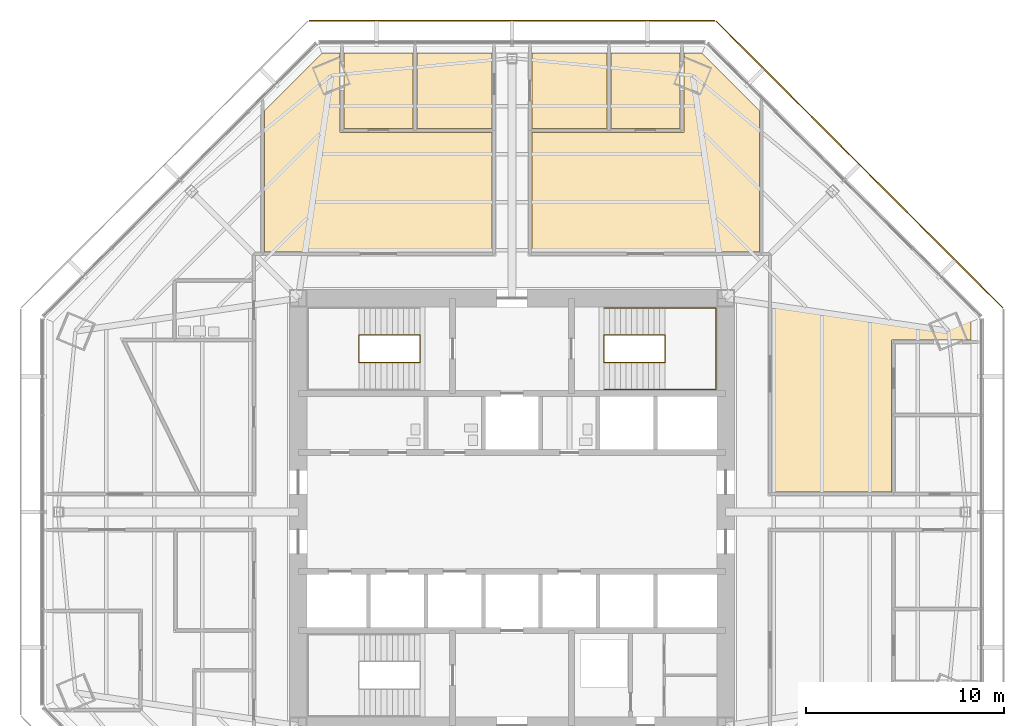
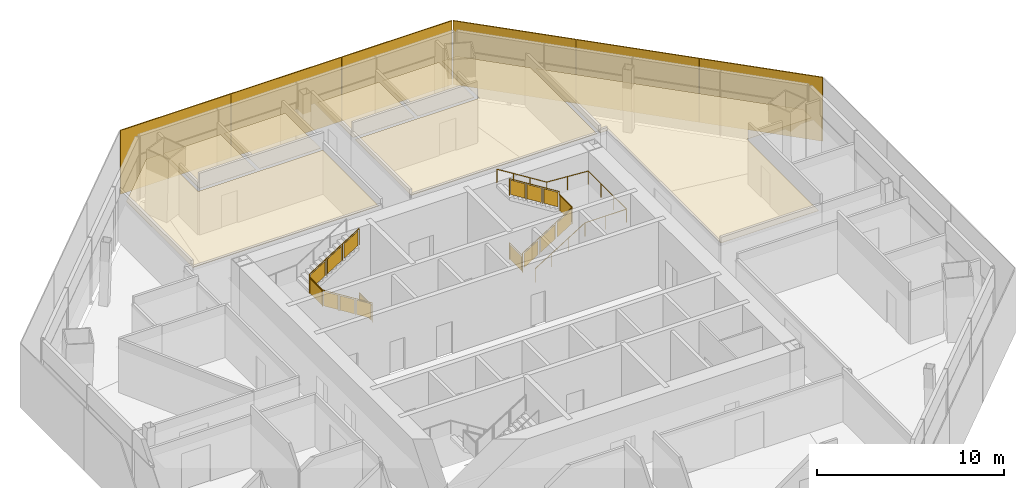
# One storey, part 14 of 15: 7 coverings, 6 shading devices, 3 railings.
"""IFC4 building model written with IfcOpenShell, lengths in metres."""

from ifc_helpers import new_model, si_unit, direction, frame, origin, origin_2d, place, context, subcontext, project, spatial, polyline, rectangle, circle, outline, extrude, source, transform, mapped, material, layer, layer_set, type_object, type_shapes, element, save


model = new_model("IFC4")

# Units and contexts
model_context = context("Model", 3, precision=1e-05, world=origin(), true_north=direction((0.0, 1.0)))
body_context = subcontext(model_context, "Body", "Model", "MODEL_VIEW")
ifc_project = project(units=[si_unit("LENGTHUNIT", "METRE"), si_unit("AREAUNIT", "SQUARE_METRE"), si_unit("VOLUMEUNIT", "CUBIC_METRE"), si_unit("PLANEANGLEUNIT", "RADIAN"), si_unit("MASSUNIT", "GRAM", prefix="KILO")], contexts=[model_context])

# Site, building, storey
site_placement = place(None, origin())
site = spatial("IfcSite", under=ifc_project, at=site_placement, CompositionType="ELEMENT")
building_placement = place(site_placement, origin())
building = spatial("IfcBuilding", under=site, at=building_placement, Name="Mashrafa Tower", CompositionType="ELEMENT")
storey_placement = place(building_placement, frame((0.0, 0.0, 151.199951171875)))
storey = spatial("IfcBuildingStorey", under=building, at=storey_placement, Name="L34", CompositionType="ELEMENT", Elevation=151.199951171875)

# Railings
ifc_material_1 = material(Name="Steel guard with glass infill", Category="steel")
railing_type_1 = type_object("IfcRailingType", Name="Stair guard 1100", PredefinedType="GUARDRAIL", material=ifc_material_1)
railing_1_placement = place(storey_placement, frame((-4.64990234375, 8.949951171875, 0.0)))
element("IfcRailing", 1, at=railing_1_placement, inside=storey, type_object=railing_type_1, Name="Stair S1 guard L34", PredefinedType="GUARDRAIL", context=body_context, shape_type="SweptSolid", body=[
    extrude(circle(Radius=0.02392578125, at=origin_2d()), frame((0.0, 0.0, 1.076171875), z_axis=(0.0, -1.0, 0.0), x_axis=(1.0, 0.0, 0.0)), (0.0, 0.0, 1.0), 1.39990234375),
    extrude(circle(Radius=0.02392578125, at=origin_2d()), frame((0.0, -1.39990234375, 1.076171875), z_axis=(0.0, 0.0, 1.0), x_axis=(1.0, 0.0, 0.0)), (0.0, 0.0, 1.0), 0.175048828125),
    extrude(circle(Radius=0.02392578125, at=origin_2d()), frame((0.0, -1.39990234375, 1.2509765625), z_axis=(-0.847998304005, 0.0, 0.529998940003), x_axis=(0.0, -1.0, 0.0)), (0.0, 0.0, 1.0), 3.632080078125),
    extrude(circle(Radius=0.02392578125, at=origin_2d()), frame((-3.080078125, -1.39990234375, 3.17626953125), z_axis=(0.0, 1.0, 0.0), x_axis=(-1.0, 0.0, 0.0)), (0.0, 0.0, 1.0), 1.39990234375),
    extrude(circle(Radius=0.02392578125, at=origin_2d()), frame((-3.080078125, 0.0, 3.17626953125), z_axis=(0.0, 0.0, 1.0), x_axis=(1.0, 0.0, 0.0)), (0.0, 0.0, 1.0), 0.175048828125),
    extrude(circle(Radius=0.02392578125, at=origin_2d()), frame((-3.080078125, 0.0, 3.35107421875), z_axis=(0.848028513186, 0.0, 0.529950602248), x_axis=(0.0, 1.0, 0.0)), (0.0, 0.0, 1.0), 3.632080078125),
    extrude(circle(Radius=0.02099609375, at=origin_2d()), origin(), (0.0, 0.0, 1.0), 1.052001953125),
    extrude(circle(Radius=0.02099609375, at=origin_2d()), frame((0.0, -1.39990234375, 0.0)), (0.0, 0.0, 1.0), 1.052001953125),
    extrude(circle(Radius=0.02099609375, at=origin_2d()), frame((0.0, -1.39990234375, 0.175048828125)), (0.0, 0.0, 1.0), 1.052001953125),
    extrude(circle(Radius=0.02099609375, at=origin_2d()), frame((-1.026611328125, -1.39990234375, 0.816650390625)), (0.0, 0.0, 1.0), 1.052001953125),
    extrude(circle(Radius=0.02099609375, at=origin_2d()), frame((-2.053466796875, -1.39990234375, 1.45849609375)), (0.0, 0.0, 1.0), 1.052001953125),
    extrude(circle(Radius=0.02099609375, at=origin_2d()), frame((-3.080078125, -1.39990234375, 2.10009765625)), (0.0, 0.0, 1.0), 1.052001953125),
    extrude(circle(Radius=0.02099609375, at=origin_2d()), frame((-3.080078125, 0.0, 2.10009765625)), (0.0, 0.0, 1.0), 1.052001953125),
    extrude(circle(Radius=0.02099609375, at=origin_2d()), frame((-3.080078125, 0.0, 2.275146484375)), (0.0, 0.0, 1.0), 1.052001953125),
    extrude(circle(Radius=0.02099609375, at=origin_2d()), frame((-2.053466796875, 0.0, 2.916748046875)), (0.0, 0.0, 1.0), 1.052001953125),
    extrude(circle(Radius=0.02099609375, at=origin_2d()), frame((-1.026611328125, 0.0, 3.558349609375)), (0.0, 0.0, 1.0), 1.052001953125),
    extrude(circle(Radius=0.02099609375, at=origin_2d()), frame((0.0, 0.0, 4.199951171875)), (0.0, 0.0, 1.0), 1.052001953125),
    extrude(outline(polyline([(0.071044921875, 0.050048828125), (1.328857421875, 0.050048828125), (1.328857421875, 1.001953125), (0.071044921875, 1.001953125), (0.071044921875, 0.050048828125)])), frame((-0.006103515625, 0.0, 0.0), z_axis=(-1.0, 0.0, 0.0), x_axis=(0.0, -1.0, 0.0)), (0.0, 0.0, 1.0), 0.011962890625),
    extrude(outline(polyline([(0.071044921875, 0.094482421875), (0.955810546875, 0.647216796875), (0.955810546875, 1.599365234375), (0.071044921875, 1.04638671875), (0.071044921875, 0.094482421875)])), frame((0.0, -1.393798828125, 0.175048828125), z_axis=(0.0, 1.0, 0.0), x_axis=(-1.0, 0.0, 0.0)), (0.0, 0.0, 1.0), 0.011962890625),
    extrude(outline(polyline([(1.09765625, 0.736083984375), (1.982421875, 1.2890625), (1.982421875, 2.240966796875), (1.09765625, 1.68798828125), (1.09765625, 0.736083984375)])), frame((0.0, -1.393798828125, 0.175048828125), z_axis=(0.0, 1.0, 0.0), x_axis=(-1.0, 0.0, 0.0)), (0.0, 0.0, 1.0), 0.011962890625),
    extrude(outline(polyline([(2.124267578125, 1.377685546875), (3.009033203125, 1.9306640625), (3.009033203125, 2.882568359375), (2.124267578125, 2.329833984375), (2.124267578125, 1.377685546875)])), frame((0.0, -1.393798828125, 0.175048828125), z_axis=(0.0, 1.0, 0.0), x_axis=(-1.0, 0.0, 0.0)), (0.0, 0.0, 1.0), 0.011962890625),
    extrude(outline(polyline([(0.071044921875, 0.050048828125), (1.328857421875, 0.050048828125), (1.328857421875, 1.001953125), (0.071044921875, 1.001953125), (0.071044921875, 0.050048828125)])), frame((-3.073974609375, -1.39990234375, 2.10009765625), z_axis=(1.0, 0.0, 0.0), x_axis=(0.0, 1.0, 0.0)), (0.0, 0.0, 1.0), 0.011962890625),
    extrude(outline(polyline([(0.071044921875, 0.094482421875), (0.955810546875, 0.647216796875), (0.955810546875, 1.59912109375), (0.071044921875, 1.04638671875), (0.071044921875, 0.094482421875)])), frame((-3.080078125, -0.006103515625, 2.275146484375), z_axis=(0.0, -1.0, 0.0), x_axis=(1.0, 0.0, 0.0)), (0.0, 0.0, 1.0), 0.011962890625),
    extrude(outline(polyline([(1.09765625, 0.736083984375), (1.982421875, 1.288818359375), (1.982421875, 2.24072265625), (1.09765625, 1.68798828125), (1.09765625, 0.736083984375)])), frame((-3.080078125, -0.006103515625, 2.275146484375), z_axis=(0.0, -1.0, 0.0), x_axis=(1.0, 0.0, 0.0)), (0.0, 0.0, 1.0), 0.011962890625),
    extrude(outline(polyline([(2.124267578125, 1.377685546875), (3.009033203125, 1.930419921875), (3.009033203125, 2.88232421875), (2.124267578125, 2.32958984375), (2.124267578125, 1.377685546875)])), frame((-3.080078125, -0.006103515625, 2.275146484375), z_axis=(0.0, -1.0, 0.0), x_axis=(1.0, 0.0, 0.0)), (0.0, 0.0, 1.0), 0.011962890625),
])
railing_2_placement = place(storey_placement, frame((4.64990234375, 8.949951171875, 0.0)))
element("IfcRailing", 2, at=railing_2_placement, inside=storey, type_object=railing_type_1, Name="Stair S2 guard L34", PredefinedType="GUARDRAIL", context=body_context, shape_type="SweptSolid", body=[
    extrude(circle(Radius=0.02392578125, at=origin_2d()), frame((0.0, 0.0, 1.076171875), z_axis=(0.0, -1.0, 0.0), x_axis=(1.0, 0.0, 0.0)), (0.0, 0.0, 1.0), 1.39990234375),
    extrude(circle(Radius=0.02392578125, at=origin_2d()), frame((0.0, -1.39990234375, 1.076171875), z_axis=(0.0, 0.0, 1.0), x_axis=(1.0, 0.0, 0.0)), (0.0, 0.0, 1.0), 0.175048828125),
    extrude(circle(Radius=0.02392578125, at=origin_2d()), frame((0.0, -1.39990234375, 1.2509765625), z_axis=(0.847998304005, 0.0, 0.529998940003), x_axis=(0.0, 1.0, 0.0)), (0.0, 0.0, 1.0), 3.632080078125),
    extrude(circle(Radius=0.02392578125, at=origin_2d()), frame((3.080078125, -1.39990234375, 3.17626953125), z_axis=(0.0, 1.0, 0.0), x_axis=(-1.0, 0.0, 0.0)), (0.0, 0.0, 1.0), 1.39990234375),
    extrude(circle(Radius=0.02392578125, at=origin_2d()), frame((3.080078125, 0.0, 3.17626953125), z_axis=(0.0, 0.0, 1.0), x_axis=(1.0, 0.0, 0.0)), (0.0, 0.0, 1.0), 0.175048828125),
    extrude(circle(Radius=0.02392578125, at=origin_2d()), frame((3.080078125, 0.0, 3.35107421875), z_axis=(-0.848028513186, 0.0, 0.529950602248), x_axis=(0.0, -1.0, 0.0)), (0.0, 0.0, 1.0), 3.632080078125),
    extrude(circle(Radius=0.02099609375, at=origin_2d()), origin(), (0.0, 0.0, 1.0), 1.052001953125),
    extrude(circle(Radius=0.02099609375, at=origin_2d()), frame((0.0, -1.39990234375, 0.0)), (0.0, 0.0, 1.0), 1.052001953125),
    extrude(circle(Radius=0.02099609375, at=origin_2d()), frame((0.0, -1.39990234375, 0.175048828125)), (0.0, 0.0, 1.0), 1.052001953125),
    extrude(circle(Radius=0.02099609375, at=origin_2d()), frame((1.026611328125, -1.39990234375, 0.816650390625)), (0.0, 0.0, 1.0), 1.052001953125),
    extrude(circle(Radius=0.02099609375, at=origin_2d()), frame((2.053466796875, -1.39990234375, 1.45849609375)), (0.0, 0.0, 1.0), 1.052001953125),
    extrude(circle(Radius=0.02099609375, at=origin_2d()), frame((3.080078125, -1.39990234375, 2.10009765625)), (0.0, 0.0, 1.0), 1.052001953125),
    extrude(circle(Radius=0.02099609375, at=origin_2d()), frame((3.080078125, 0.0, 2.10009765625)), (0.0, 0.0, 1.0), 1.052001953125),
    extrude(circle(Radius=0.02099609375, at=origin_2d()), frame((3.080078125, 0.0, 2.275146484375)), (0.0, 0.0, 1.0), 1.052001953125),
    extrude(circle(Radius=0.02099609375, at=origin_2d()), frame((2.053466796875, 0.0, 2.916748046875)), (0.0, 0.0, 1.0), 1.052001953125),
    extrude(circle(Radius=0.02099609375, at=origin_2d()), frame((1.026611328125, 0.0, 3.558349609375)), (0.0, 0.0, 1.0), 1.052001953125),
    extrude(circle(Radius=0.02099609375, at=origin_2d()), frame((0.0, 0.0, 4.199951171875)), (0.0, 0.0, 1.0), 1.052001953125),
    extrude(outline(polyline([(0.071044921875, 0.050048828125), (1.328857421875, 0.050048828125), (1.328857421875, 1.001953125), (0.071044921875, 1.001953125), (0.071044921875, 0.050048828125)])), frame((-0.006103515625, 0.0, 0.0), z_axis=(-1.0, 0.0, 0.0), x_axis=(0.0, -1.0, 0.0)), (0.0, 0.0, 1.0), 0.011962890625),
    extrude(outline(polyline([(0.071044921875, 0.094482421875), (0.955810546875, 0.647216796875), (0.955810546875, 1.599365234375), (0.071044921875, 1.04638671875), (0.071044921875, 0.094482421875)])), frame((0.0, -1.406005859375, 0.175048828125), z_axis=(0.0, -1.0, 0.0), x_axis=(1.0, 0.0, 0.0)), (0.0, 0.0, 1.0), 0.011962890625),
    extrude(outline(polyline([(1.09765625, 0.736083984375), (1.982421875, 1.2890625), (1.982421875, 2.240966796875), (1.09765625, 1.68798828125), (1.09765625, 0.736083984375)])), frame((0.0, -1.406005859375, 0.175048828125), z_axis=(0.0, -1.0, 0.0), x_axis=(1.0, 0.0, 0.0)), (0.0, 0.0, 1.0), 0.011962890625),
    extrude(outline(polyline([(2.124267578125, 1.377685546875), (3.009033203125, 1.9306640625), (3.009033203125, 2.882568359375), (2.124267578125, 2.329833984375), (2.124267578125, 1.377685546875)])), frame((0.0, -1.406005859375, 0.175048828125), z_axis=(0.0, -1.0, 0.0), x_axis=(1.0, 0.0, 0.0)), (0.0, 0.0, 1.0), 0.011962890625),
    extrude(outline(polyline([(0.071044921875, 0.050048828125), (1.328857421875, 0.050048828125), (1.328857421875, 1.001953125), (0.071044921875, 1.001953125), (0.071044921875, 0.050048828125)])), frame((3.086181640625, -1.39990234375, 2.10009765625), z_axis=(1.0, 0.0, 0.0), x_axis=(0.0, 1.0, 0.0)), (0.0, 0.0, 1.0), 0.011962890625),
    extrude(outline(polyline([(0.071044921875, 0.094482421875), (0.955810546875, 0.647216796875), (0.955810546875, 1.59912109375), (0.071044921875, 1.04638671875), (0.071044921875, 0.094482421875)])), frame((3.080078125, 0.006103515625, 2.275146484375), z_axis=(0.0, 1.0, 0.0), x_axis=(-1.0, 0.0, 0.0)), (0.0, 0.0, 1.0), 0.011962890625),
    extrude(outline(polyline([(1.09765625, 0.736083984375), (1.982421875, 1.288818359375), (1.982421875, 2.24072265625), (1.09765625, 1.68798828125), (1.09765625, 0.736083984375)])), frame((3.080078125, 0.006103515625, 2.275146484375), z_axis=(0.0, 1.0, 0.0), x_axis=(-1.0, 0.0, 0.0)), (0.0, 0.0, 1.0), 0.011962890625),
    extrude(outline(polyline([(2.124267578125, 1.377685546875), (3.009033203125, 1.930419921875), (3.009033203125, 2.88232421875), (2.124267578125, 2.32958984375), (2.124267578125, 1.377685546875)])), frame((3.080078125, 0.006103515625, 2.275146484375), z_axis=(0.0, 1.0, 0.0), x_axis=(-1.0, 0.0, 0.0)), (0.0, 0.0, 1.0), 0.011962890625),
])
ifc_material_2 = material(Name="Steel", Category="steel")
railing_type_2 = type_object("IfcRailingType", Name="Stair handrail 900", PredefinedType="HANDRAIL", material=ifc_material_2)
railing_3_placement = place(storey_placement, frame((4.64990234375, 6.199951171875, 0.175048828125)))
element("IfcRailing", 3, at=railing_3_placement, inside=storey, type_object=railing_type_2, Name="Stair S2 handrail L34", PredefinedType="HANDRAIL", context=body_context, shape_type="SweptSolid", body=[
    extrude(circle(Radius=0.02392578125, at=origin_2d()), frame((0.0, 0.0, 0.8759765625), z_axis=(0.847998304005, 0.0, 0.529998940003), x_axis=(0.0, 1.0, 0.0)), (0.0, 0.0, 1.0), 3.632080078125),
    extrude(circle(Radius=0.02392578125, at=origin_2d()), frame((3.080078125, 0.0, 2.80078125), z_axis=(1.0, 0.0, 0.0), x_axis=(0.0, 1.0, 0.0)), (0.0, 0.0, 1.0), 2.570068359375),
    extrude(circle(Radius=0.02392578125, at=origin_2d()), frame((5.650146484375, 0.0, 2.80078125), z_axis=(0.0, 1.0, 0.0), x_axis=(-1.0, 0.0, 0.0)), (0.0, 0.0, 1.0), 4.10009765625),
    extrude(circle(Radius=0.02392578125, at=origin_2d()), frame((5.650146484375, 4.10009765625, 2.80078125), z_axis=(-0.997688514158, 0.0, 0.067953136188), x_axis=(0.0, -1.0, 0.0)), (0.0, 0.0, 1.0), 2.575927734375),
    extrude(circle(Radius=0.02392578125, at=origin_2d()), frame((3.080078125, 4.10009765625, 2.97607421875), z_axis=(-0.848028513186, 0.0, 0.529950602248), x_axis=(0.0, -1.0, 0.0)), (0.0, 0.0, 1.0), 3.632080078125),
    extrude(circle(Radius=0.02099609375, at=origin_2d()), origin(), (0.0, 0.0, 1.0), 0.851806640625),
    extrude(circle(Radius=0.02099609375, at=origin_2d()), frame((1.026611328125, 0.0, 0.6416015625)), (0.0, 0.0, 1.0), 0.851806640625),
    extrude(circle(Radius=0.02099609375, at=origin_2d()), frame((2.053466796875, 0.0, 1.283447265625)), (0.0, 0.0, 1.0), 0.851806640625),
    extrude(circle(Radius=0.02099609375, at=origin_2d()), frame((3.080078125, 0.0, 1.925048828125)), (0.0, 0.0, 1.0), 0.851806640625),
    extrude(circle(Radius=0.02099609375, at=origin_2d()), frame((4.365234375, 0.0, 1.925048828125)), (0.0, 0.0, 1.0), 0.851806640625),
    extrude(circle(Radius=0.02099609375, at=origin_2d()), frame((5.650146484375, 0.0, 1.925048828125)), (0.0, 0.0, 1.0), 0.851806640625),
    extrude(circle(Radius=0.02099609375, at=origin_2d()), frame((5.650146484375, 1.36669921875, 1.925048828125)), (0.0, 0.0, 1.0), 0.851806640625),
    extrude(circle(Radius=0.02099609375, at=origin_2d()), frame((5.650146484375, 2.7333984375, 1.925048828125)), (0.0, 0.0, 1.0), 0.851806640625),
    extrude(circle(Radius=0.02099609375, at=origin_2d()), frame((5.650146484375, 4.10009765625, 1.925048828125)), (0.0, 0.0, 1.0), 0.851806640625),
    extrude(circle(Radius=0.02099609375, at=origin_2d()), frame((4.365234375, 4.10009765625, 2.0126953125)), (0.0, 0.0, 1.0), 0.851806640625),
    extrude(circle(Radius=0.02099609375, at=origin_2d()), frame((3.080078125, 4.10009765625, 2.10009765625)), (0.0, 0.0, 1.0), 0.851806640625),
    extrude(circle(Radius=0.02099609375, at=origin_2d()), frame((2.053466796875, 4.10009765625, 2.74169921875)), (0.0, 0.0, 1.0), 0.851806640625),
    extrude(circle(Radius=0.02099609375, at=origin_2d()), frame((1.026611328125, 4.10009765625, 3.38330078125)), (0.0, 0.0, 1.0), 0.851806640625),
    extrude(circle(Radius=0.02099609375, at=origin_2d()), frame((0.0, 4.10009765625, 4.02490234375)), (0.0, 0.0, 1.0), 0.851806640625),
])

# Coverings
ifc_material_3 = material(Name="Mineral fibre tile on suspension grid")
ifc_layer_1 = layer(ifc_material_3, 0.014892578125)
ifc_layer_set_1 = layer_set([ifc_layer_1], Name="Suspended ceiling mineral tile 15")
covering_type = type_object("IfcCoveringType", Name="Suspended ceiling mineral tile 15", PredefinedType="CEILING", material=ifc_layer_set_1)
covering_1_placement = place(storey_placement, frame((0.0, 0.0, 2.900146484375)))
element("IfcCovering", 4, at=covering_1_placement, inside=storey, type_object=covering_type, Name="Ceiling Serviced Office 34-NA-1", PredefinedType="CEILING", context=body_context, shape_type="SweptSolid", body=[
    extrude(outline(polyline([(-4.800048828125, 23.1875), (-1.0, 23.1875), (-1.0, 19.387451171875), (-4.800048828125, 19.387451171875), (-4.800048828125, 23.1875)])), origin(), (0.0, 0.0, 1.0), 0.014892578125),
])
covering_2_placement = place(storey_placement, frame((0.0, 0.0, 2.900146484375)))
element("IfcCovering", 5, at=covering_2_placement, inside=storey, type_object=covering_type, Name="Ceiling Serviced Office 34-NW2", PredefinedType="CEILING", context=body_context, shape_type="SweptSolid", body=[
    extrude(outline(polyline([(-8.5, 23.1875), (-5.0, 23.1875), (-5.0, 19.387451171875), (-8.5, 19.387451171875), (-8.5, 23.1875)])), origin(), (0.0, 0.0, 1.0), 0.014892578125),
])
covering_3_placement = place(storey_placement, frame((0.0, 0.0, 2.900146484375)))
element("IfcCovering", 6, at=covering_3_placement, inside=storey, type_object=covering_type, Name="Ceiling Serviced Office 34-NE2", PredefinedType="CEILING", context=body_context, shape_type="SweptSolid", body=[
    extrude(outline(polyline([(5.0, 23.1875), (8.5, 23.1875), (8.5, 19.387451171875), (5.0, 19.387451171875), (5.0, 23.1875)])), origin(), (0.0, 0.0, 1.0), 0.014892578125),
])
covering_4_placement = place(storey_placement, frame((0.0, 0.0, 2.900146484375)))
element("IfcCovering", 7, at=covering_4_placement, inside=storey, type_object=covering_type, Name="Ceiling Serviced Office 34-NB-2", PredefinedType="CEILING", context=body_context, shape_type="SweptSolid", body=[
    extrude(outline(polyline([(1.0, 23.1875), (4.800048828125, 23.1875), (4.800048828125, 19.387451171875), (1.0, 19.387451171875), (1.0, 23.1875)])), origin(), (0.0, 0.0, 1.0), 0.014892578125),
])
covering_5_placement = place(storey_placement, frame((0.0, 0.0, 2.900146484375)))
element("IfcCovering", 8, at=covering_5_placement, inside=storey, type_object=covering_type, Name="Ceiling Business Centre Suite 34-NE1", PredefinedType="CEILING", context=body_context, shape_type="SweptSolid", body=[
    extrude(outline(polyline([(12.699951171875, 13.14990234375), (12.699951171875, 20.092041015625), (23.1875, 9.6044921875), (23.1875, 8.699951171875), (19.1875, 8.699951171875), (19.1875, 1.0), (13.14990234375, 1.0), (13.14990234375, 13.14990234375), (12.699951171875, 13.14990234375)])), origin(), (0.0, 0.0, 1.0), 0.014892578125),
])
covering_6_placement = place(storey_placement, frame((0.0, 0.0, 2.900146484375)))
element("IfcCovering", 9, at=covering_6_placement, inside=storey, type_object=covering_type, Name="Ceiling Business Centre Lounge 34-NE2", PredefinedType="CEILING", context=body_context, shape_type="SweptSolid", body=[
    extrude(outline(polyline([(8.699951171875, 23.1875), (9.6044921875, 23.1875), (12.5, 20.2919921875), (12.5, 13.14990234375), (1.0, 13.14990234375), (1.0, 19.1875), (8.699951171875, 19.1875), (8.699951171875, 23.1875)])), origin(), (0.0, 0.0, 1.0), 0.014892578125),
])
covering_7_placement = place(storey_placement, frame((0.0, 0.0, 2.900146484375)))
element("IfcCovering", 10, at=covering_7_placement, inside=storey, type_object=covering_type, Name="Ceiling Business Centre Lounge 34-NW2", PredefinedType="CEILING", context=body_context, shape_type="SweptSolid", body=[
    extrude(outline(polyline([(-12.5, 13.14990234375), (-12.5, 20.2919921875), (-9.6044921875, 23.1875), (-8.699951171875, 23.1875), (-8.699951171875, 19.1875), (-1.0, 19.1875), (-1.0, 13.14990234375), (-12.5, 13.14990234375)])), origin(), (0.0, 0.0, 1.0), 0.014892578125),
])

# Shading devices
ifc_material_4 = material(Name="Perforated aluminium plate, eight-point star pattern", Category="aluminium")
ifc_layer_2 = layer(ifc_material_4, 0.06005859375)
ifc_layer_set_2 = layer_set([ifc_layer_2], Name="Mashrabiya screen panel office zone 2, 40 percent open")
shading_device_type = type_object("IfcShadingDeviceType", Name="Mashrabiya screen panel office zone 2, 40 percent open", PredefinedType="SHUTTER", material=ifc_layer_set_2)
shared_shape = source(origin(), body_context, "Body", "SweptSolid", [
    extrude(rectangle(XDim=6.82373046875, YDim=0.06005859375, at=origin_2d()), origin(), (0.0, 0.0, 1.0), 4.179931640625),
])
type_shapes(shading_device_type, [shared_shape])
for number, where, z_axis, x_axis, name in (
    (11, (22.402099609375, 12.723388671875, -0.14990234375), (0.0, 0.0, 1.0), (-0.707106781187, 0.707106781187, 0.0), "Mashrabiya screen L34 north-east 1"),
    (12, (17.562744140625, 17.562744140625, -0.14990234375), (0.0, 0.0, 1.0), (-0.707106781187, 0.707106781187, 0.0), "Mashrabiya screen L34 north-east 2"),
    (13, (12.723388671875, 22.402099609375, -0.14990234375), (0.0, 0.0, 1.0), (-0.707106781187, 0.707106781187, 0.0), "Mashrabiya screen L34 north-east 3"),
    (14, (6.84375, 24.83740234375, -0.14990234375), (0.0, 0.0, 1.0), (-1.0, 0.0, 0.0), "Mashrabiya screen L34 north 1"),
    (15, (0.0, 24.83740234375, -0.14990234375), (0.0, 0.0, 1.0), (-1.0, 0.0, 0.0), "Mashrabiya screen L34 north 2"),
    (16, (-6.84375, 24.83740234375, -0.14990234375), (0.0, 0.0, 1.0), (-1.0, 0.0, 0.0), "Mashrabiya screen L34 north 3"),
):
    element("IfcShadingDevice", number, at=place(storey_placement, frame(where, z_axis=z_axis, x_axis=x_axis)), inside=storey, type_object=shading_device_type, Name=name, PredefinedType="SHUTTER", context=body_context, shape_type="MappedRepresentation", body=[
        mapped(shared_shape, transform((0.0, 0.0, 0.0))),
    ])

save(model, "model.ifc")
